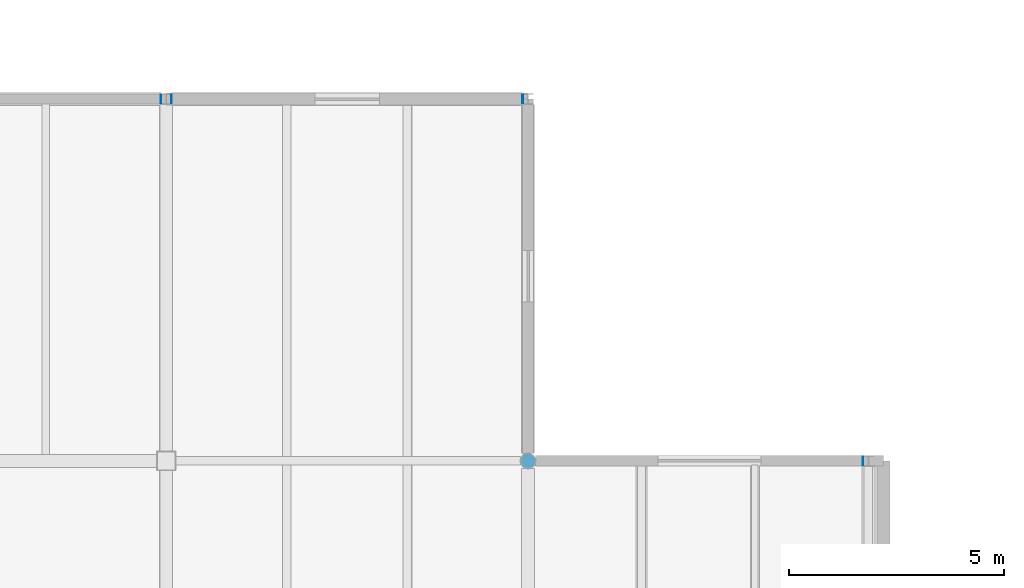
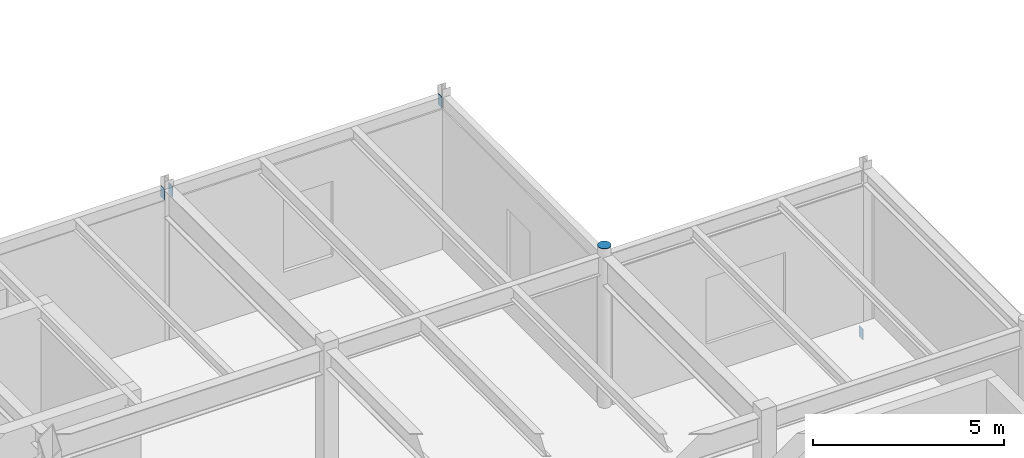
# One storey, part 46 of 57: 5 discrete accessories.
"""IFC4 building model written with IfcOpenShell, lengths in metres."""

from ifc_helpers import new_model, si_unit, direction, frame, origin, origin_2d, place, context, subcontext, project, spatial, rectangle, circle, extrude, material, type_object, element, save


model = new_model("IFC4")

# Units and contexts
model_context = context("Model", 3, precision=1e-05, world=origin(), true_north=direction((0.0, 1.0)))
body_context = subcontext(model_context, "Body", "Model", "MODEL_VIEW")
ifc_project = project(units=[si_unit("LENGTHUNIT", "METRE"), si_unit("AREAUNIT", "SQUARE_METRE"), si_unit("VOLUMEUNIT", "CUBIC_METRE"), si_unit("PLANEANGLEUNIT", "RADIAN"), si_unit("MASSUNIT", "GRAM", prefix="KILO"), si_unit("THERMODYNAMICTEMPERATUREUNIT", "KELVIN")], contexts=[model_context])

# Site, building, storey
site_placement = place(None, origin())
site = spatial("IfcSite", under=ifc_project, at=site_placement, CompositionType="ELEMENT")
building_placement = place(site_placement, origin())
building = spatial("IfcBuilding", under=site, at=building_placement, Name="Lustrewick Department Store", CompositionType="ELEMENT")
storey_placement = place(building_placement, frame((0.0, 0.0, 26.699951171875)))
storey = spatial("IfcBuildingStorey", under=building, at=storey_placement, Name="L06", CompositionType="ELEMENT", Elevation=26.699951171875)

# Discrete accessories
ifc_material = material(Name="Structural steel Q355C", Category="steel")
discrete_accessory_type = type_object("IfcDiscreteAccessoryType", Name="ECP-01", PredefinedType="USERDEFINED", material=ifc_material)
discrete_accessory_placement = place(storey_placement, frame((50.39990234375, 84.0, 5.093994140625), z_axis=(0.0, 0.0, 1.0), x_axis=(1.0, 0.0, 0.0)))
element("IfcDiscreteAccessory", 1, at=discrete_accessory_placement, inside=storey, type_object=discrete_accessory_type, Name="L06 Welded Hollow-Section End-Cap Plate ECP-01", ObjectType="END_CAP_PLATE", PredefinedType="USERDEFINED", context=body_context, shape_type="SweptSolid", body=[
    extrude(circle(Radius=0.177978515625, at=origin_2d()), origin(), (0.0, 0.0, 1.0), 0.01611328125),
])
for number, where, z_axis, x_axis, name in (
    (2, (41.868896484375, 92.39990234375, 4.670166015625), (1.0, 0.0, 0.0), (0.0, 1.0, 0.0), "L06 Welded Hollow-Section End-Cap Plate ECP-01"),
    (3, (58.1689453125, 84.0, -0.429931640625), (1.0, 0.0, 0.0), (0.0, 1.0, 0.0), "L06 Welded Hollow-Section End-Cap Plate ECP-01"),
    (4, (50.268798828125, 92.39990234375, 4.670166015625), (1.0, 0.0, 0.0), (0.0, 1.0, 0.0), "L06 Welded Hollow-Section End-Cap Plate ECP-01"),
    (5, (42.131103515625, 92.39990234375, 4.670166015625), (-1.0, 0.0, 0.0), (0.0, 1.0, 0.0), "L06 Welded Hollow-Section End-Cap Plate ECP-01"),
):
    element("IfcDiscreteAccessory", number, at=place(storey_placement, frame(where, z_axis=z_axis, x_axis=x_axis)), inside=storey, type_object=discrete_accessory_type, Name=name, ObjectType="END_CAP_PLATE", PredefinedType="USERDEFINED", context=body_context, shape_type="SweptSolid", body=[
        extrude(rectangle(XDim=0.199951171875, YDim=0.35009765625, at=origin_2d()), origin(), (0.0, 0.0, 1.0), 0.01611328125),
    ])

save(model, "model.ifc")
